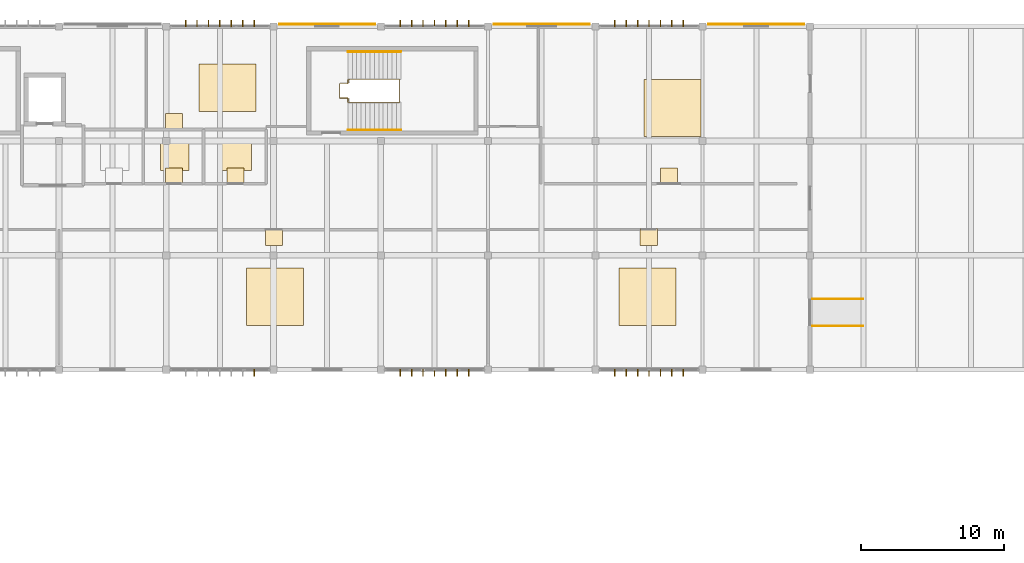
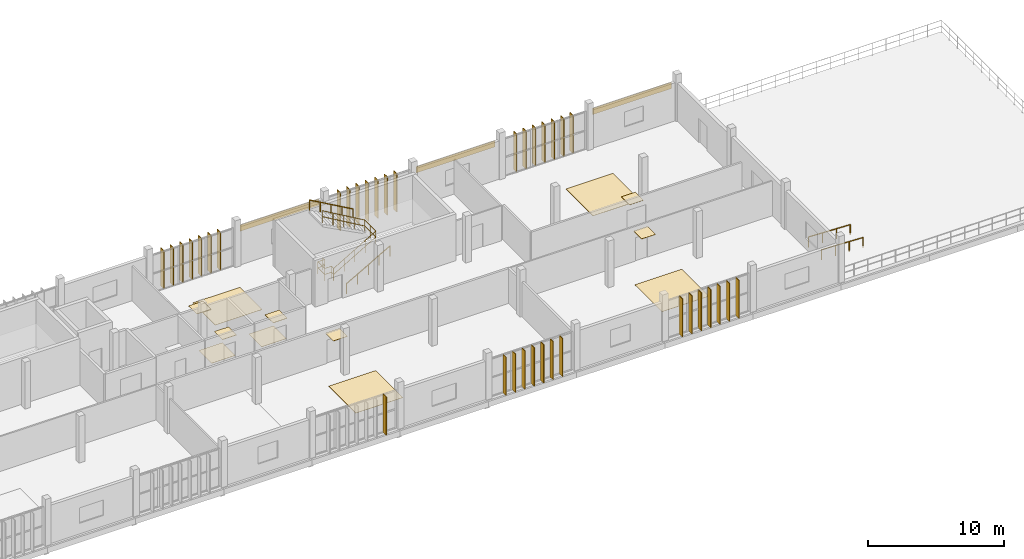
# One storey, part 26 of 27: 36 shading devices, 15 coverings, 6 railings.
"""IFC4 building model written with IfcOpenShell, lengths in metres."""

from ifc_helpers import new_model, si_unit, direction, frame, origin, origin_2d, place, context, subcontext, project, spatial, rectangle, circle, extrude, material, layer, layer_set, material_profile, profile_set, type_object, element, save


model = new_model("IFC4")

# Units and contexts
model_context = context("Model", 3, precision=1e-05, world=origin(), true_north=direction((0.0, 1.0)))
body_context = subcontext(model_context, "Body", "Model", "MODEL_VIEW")
ifc_project = project(units=[si_unit("LENGTHUNIT", "METRE"), si_unit("AREAUNIT", "SQUARE_METRE"), si_unit("VOLUMEUNIT", "CUBIC_METRE"), si_unit("PLANEANGLEUNIT", "RADIAN"), si_unit("MASSUNIT", "GRAM", prefix="KILO")], contexts=[model_context])

# Site, building, storey
site_placement = place(None, origin())
site = spatial("IfcSite", under=ifc_project, at=site_placement, CompositionType="ELEMENT")
building_placement = place(site_placement, origin())
building = spatial("IfcBuilding", under=site, at=building_placement, Name="Vourika Railside Aquatics Centre", CompositionType="ELEMENT")
storey_placement = place(building_placement, frame((0.0, 0.0, 13.5)))
storey = spatial("IfcBuildingStorey", under=building, at=storey_placement, Name="L03", CompositionType="ELEMENT", Elevation=13.5)

# Coverings
ifc_material_1 = material(Name="Perforated moisture-resistant acoustic gypsum ceiling")
ifc_layer_1 = layer(ifc_material_1, 0.02490234375, Name="COV-CEIL-25")
ifc_layer_set_1 = layer_set([ifc_layer_1], Name="Perforated moisture-resistant acoustic gypsum ceiling")
covering_type_1 = type_object("IfcCoveringType", Name="COV-CEIL-25", PredefinedType="CEILING", material=ifc_layer_set_1)
for number, where, z_axis, x_axis, name in (
    (1, (66.534912109375, 105.52001953125, 2.637451171875), (0.0, 0.0, 1.0), (1.0, 0.0, 0.0), "Thermal Spa Female WC Acoustic Ceiling Panel"),
    (2, (70.8349609375, 105.52001953125, 2.637451171875), (0.0, 0.0, 1.0), (1.0, 0.0, 0.0), "Thermal Spa Accessible WC Acoustic Ceiling Panel"),
    (3, (73.52001953125, 101.280029296875, 2.637451171875), (0.0, 0.0, 1.0), (1.0, 0.0, 0.0), "Finnish Sauna and Tropical Steam Suites Acoustic Ceiling Panel"),
    (4, (99.7275390625, 101.280029296875, 2.637451171875), (0.0, 0.0, 1.0), (1.0, 0.0, 0.0), "Contrast Recovery Lounge and Relaxation Room Acoustic Ceiling Panel"),
    (5, (66.534912109375, 109.320068359375, 2.637451171875), (0.0, 0.0, 1.0), (1.0, 0.0, 0.0), "Sports Cardiology Diagnostics Lounge Acoustic Ceiling Panel"),
    (6, (101.147705078125, 105.52001953125, 2.637451171875), (0.0, 0.0, 1.0), (1.0, 0.0, 0.0), "Altitude Conditioning Studio Acoustic Ceiling Panel"),
):
    element("IfcCovering", number, at=place(storey_placement, frame(where, z_axis=z_axis, x_axis=x_axis)), inside=storey, type_object=covering_type_1, Name=name, PredefinedType="CEILING", context=body_context, shape_type="SweptSolid", body=[
        extrude(rectangle(XDim=1.199951171875, YDim=1.199951171875, at=origin_2d()), origin(), (0.0, 0.0, 1.0), 0.02490234375),
    ])
ifc_material_2 = material(Name="Bronze-anodized aluminium rainscreen", Category="aluminium")
ifc_layer_2 = layer(ifc_material_2, 0.044921875, Name="COV-CLAD-45")
ifc_layer_set_2 = layer_set([ifc_layer_2], Name="Bronze-anodized aluminium rainscreen")
covering_type_2 = type_object("IfcCoveringType", Name="COV-CLAD-45", PredefinedType="CLADDING", material=ifc_layer_set_2)
for number, where, z_axis, x_axis, name in (
    (7, (77.25, 116.155029296875, 2.80517578125), (0.0, 0.0, 1.0), (-1.0, 0.0, 0.0), "Perforated Bronze Rainscreen Band CL-066"),
    (8, (92.25, 116.155029296875, 2.80517578125), (0.0, 0.0, 1.0), (-1.0, 0.0, 0.0), "Perforated Bronze Rainscreen Band CL-067"),
    (9, (107.25, 116.155029296875, 2.80517578125), (0.0, 0.0, 1.0), (-1.0, 0.0, 0.0), "Perforated Bronze Rainscreen Band CL-068"),
):
    element("IfcCovering", number, at=place(storey_placement, frame(where, z_axis=z_axis, x_axis=x_axis)), inside=storey, type_object=covering_type_2, Name=name, PredefinedType="CLADDING", context=body_context, shape_type="SweptSolid", body=[
        extrude(rectangle(XDim=6.699951171875, YDim=0.044921875, at=origin_2d()), origin(), (0.0, 0.0, 1.0), 0.550048828125),
    ])
ifc_material_3 = material(Name="Slip-resistant aqua ceramic sports flooring")
ifc_layer_3 = layer(ifc_material_3, 0.02001953125, Name="COV-FLOR-20")
ifc_layer_set_3 = layer_set([ifc_layer_3], Name="Slip-resistant aqua ceramic sports flooring")
covering_type_3 = type_object("IfcCoveringType", Name="COV-FLOR-20", PredefinedType="FLOORING", material=ifc_layer_set_3)
covering_1_placement = place(storey_placement, frame((66.60009765625, 106.89990234375, 0.0), z_axis=(0.0, 0.0, 1.0), x_axis=(1.0, 0.0, 0.0)))
element("IfcCovering", 10, at=covering_1_placement, inside=storey, type_object=covering_type_3, Name="Thermal Spa Female WC Sports Flooring Panel", PredefinedType="FLOORING", context=body_context, shape_type="SweptSolid", body=[
    extrude(rectangle(XDim=2.0, YDim=1.89990234375, at=origin_2d()), origin(), (0.0, 0.0, 1.0), 0.02001953125),
])
covering_2_placement = place(storey_placement, frame((70.89990234375, 106.89990234375, 0.0), z_axis=(0.0, 0.0, 1.0), x_axis=(1.0, 0.0, 0.0)))
element("IfcCovering", 11, at=covering_2_placement, inside=storey, type_object=covering_type_3, Name="Thermal Spa Accessible WC Sports Flooring Panel", PredefinedType="FLOORING", context=body_context, shape_type="SweptSolid", body=[
    extrude(rectangle(XDim=2.10009765625, YDim=1.89990234375, at=origin_2d()), origin(), (0.0, 0.0, 1.0), 0.02001953125),
])
for number, where, z_axis, x_axis, name in (
    (12, (73.60009765625, 97.10009765625, 0.0), (0.0, 0.0, 1.0), (1.0, 0.0, 0.0), "Finnish Sauna and Tropical Steam Suites Sports Flooring Panel"),
    (13, (99.64990234375, 97.10009765625, 0.0), (0.0, 0.0, 1.0), (1.0, 0.0, 0.0), "Contrast Recovery Lounge and Relaxation Room Sports Flooring Panel"),
):
    element("IfcCovering", number, at=place(storey_placement, frame(where, z_axis=z_axis, x_axis=x_axis)), inside=storey, type_object=covering_type_3, Name=name, PredefinedType="FLOORING", context=body_context, shape_type="SweptSolid", body=[
        extrude(rectangle(XDim=4.0, YDim=4.0, at=origin_2d()), origin(), (0.0, 0.0, 1.0), 0.02001953125),
    ])
covering_3_placement = place(storey_placement, frame((70.280029296875, 111.719970703125, 0.0), z_axis=(0.0, 0.0, 1.0), x_axis=(1.0, 0.0, 0.0)))
element("IfcCovering", 14, at=covering_3_placement, inside=storey, type_object=covering_type_3, Name="Sports Cardiology Diagnostics Lounge Sports Flooring Panel", PredefinedType="FLOORING", context=body_context, shape_type="SweptSolid", body=[
    extrude(rectangle(XDim=4.0, YDim=3.300048828125, at=origin_2d()), origin(), (0.0, 0.0, 1.0), 0.02001953125),
])
covering_4_placement = place(storey_placement, frame((101.39990234375, 110.300048828125, 0.0), z_axis=(0.0, 0.0, 1.0), x_axis=(1.0, 0.0, 0.0)))
element("IfcCovering", 15, at=covering_4_placement, inside=storey, type_object=covering_type_3, Name="Altitude Conditioning Studio Sports Flooring Panel", PredefinedType="FLOORING", context=body_context, shape_type="SweptSolid", body=[
    extrude(rectangle(XDim=4.0, YDim=4.0, at=origin_2d()), origin(), (0.0, 0.0, 1.0), 0.02001953125),
])

# Railings
ifc_material_4 = material(Name="Duplex stainless steel EN 1.4462", Category="steel")
railing_type_1 = type_object("IfcRailingType", Name="RL-HAND-920", PredefinedType="HANDRAIL", material=ifc_material_4)
railing_1_placement = place(storey_placement, frame((78.699951171875, 108.760009765625, 0.0)))
element("IfcRailing", 16, at=railing_1_placement, inside=storey, type_object=railing_type_1, Name="Protected Exit Stair Core ST03 Lower Wall Handrail (L03)", PredefinedType="HANDRAIL", context=body_context, shape_type="SweptSolid", body=[
    extrude(circle(Radius=0.02392578125, at=origin_2d()), frame((0.0, 0.0, 0.89599609375), z_axis=(0.869449269089, 0.0, 0.494022234804), x_axis=(0.0, 1.0, 0.0)), (0.0, 0.0, 1.0), 4.2509765625),
    extrude(circle(Radius=0.02099609375, at=origin_2d()), origin(), (0.0, 0.0, 1.0), 0.871826171875),
    extrude(circle(Radius=0.02099609375, at=origin_2d()), frame((0.924072265625, 0.0, 0.52490234375)), (0.0, 0.0, 1.0), 0.871826171875),
    extrude(circle(Radius=0.02099609375, at=origin_2d()), frame((1.84814453125, 0.0, 1.050048828125)), (0.0, 0.0, 1.0), 0.871826171875),
    extrude(circle(Radius=0.02099609375, at=origin_2d()), frame((2.77197265625, 0.0, 1.5751953125)), (0.0, 0.0, 1.0), 0.871826171875),
    extrude(circle(Radius=0.02099609375, at=origin_2d()), frame((3.696044921875, 0.0, 2.10009765625)), (0.0, 0.0, 1.0), 0.871826171875),
])
railing_2_placement = place(storey_placement, frame((82.39599609375, 114.239990234375, 2.10009765625)))
element("IfcRailing", 17, at=railing_2_placement, inside=storey, type_object=railing_type_1, Name="Protected Exit Stair Core ST03 Upper Wall Handrail (L03)", PredefinedType="HANDRAIL", context=body_context, shape_type="SweptSolid", body=[
    extrude(circle(Radius=0.02392578125, at=origin_2d()), frame((0.0, 0.0, 0.89599609375), z_axis=(-0.869473936924, 0.0, 0.493978818382), x_axis=(0.0, -1.0, 0.0)), (0.0, 0.0, 1.0), 4.2509765625),
    extrude(circle(Radius=0.02099609375, at=origin_2d()), origin(), (0.0, 0.0, 1.0), 0.871826171875),
    extrude(circle(Radius=0.02099609375, at=origin_2d()), frame((-0.924072265625, 0.0, 0.52490234375)), (0.0, 0.0, 1.0), 0.871826171875),
    extrude(circle(Radius=0.02099609375, at=origin_2d()), frame((-1.84814453125, 0.0, 1.0498046875)), (0.0, 0.0, 1.0), 0.871826171875),
    extrude(circle(Radius=0.02099609375, at=origin_2d()), frame((-2.77197265625, 0.0, 1.574951171875)), (0.0, 0.0, 1.0), 0.871826171875),
    extrude(circle(Radius=0.02099609375, at=origin_2d()), frame((-3.696044921875, 0.0, 2.099853515625)), (0.0, 0.0, 1.0), 0.871826171875),
])
for number, where, name in (
    (18, (111.169921875, 96.949951171875, -0.009521484375), "Hydrotherapy Sun Deck Threshold Ramp AR5 Handrail L"),
    (19, (111.169921875, 95.050048828125, -0.009521484375), "Hydrotherapy Sun Deck Threshold Ramp AR5 Handrail R"),
):
    element("IfcRailing", number, at=place(storey_placement, frame(where)), inside=storey, type_object=railing_type_1, Name=name, PredefinedType="HANDRAIL", context=body_context, shape_type="SweptSolid", body=[
        extrude(circle(Radius=0.02392578125, at=origin_2d()), frame((0.0, 0.0, 0.89599609375), z_axis=(0.999298355392, 0.0, -0.03745393052), x_axis=(0.0, 1.0, 0.0)), (0.0, 0.0, 1.0), 3.552490234375),
        extrude(circle(Radius=0.02099609375, at=origin_2d()), origin(), (0.0, 0.0, 1.0), 0.871826171875),
        extrude(circle(Radius=0.02099609375, at=origin_2d()), frame((1.183349609375, 0.0, -0.04443359375)), (0.0, 0.0, 1.0), 0.871826171875),
        extrude(circle(Radius=0.02099609375, at=origin_2d()), frame((2.36669921875, 0.0, -0.088623046875)), (0.0, 0.0, 1.0), 0.871826171875),
        extrude(circle(Radius=0.02099609375, at=origin_2d()), frame((3.550048828125, 0.0, -0.133056640625)), (0.0, 0.0, 1.0), 0.871826171875),
    ])
railing_type_2 = type_object("IfcRailingType", Name="RL-STAIR-1120", PredefinedType="BALUSTRADE", material=ifc_material_4)
railing_3_placement = place(storey_placement, frame((78.699951171875, 110.75, 0.0)))
element("IfcRailing", 20, at=railing_3_placement, inside=storey, type_object=railing_type_2, Name="Protected Exit Stair Core ST03 Well Edge Guard (L03)", PredefinedType="BALUSTRADE", context=body_context, shape_type="SweptSolid", body=[
    extrude(circle(Radius=0.02392578125, at=origin_2d()), frame((0.0, 0.0, 1.09619140625), z_axis=(0.0, 1.0, 0.0), x_axis=(-1.0, 0.0, 0.0)), (0.0, 0.0, 1.0), 0.25),
    extrude(circle(Radius=0.02392578125, at=origin_2d()), frame((0.0, 0.0, 0.56005859375), z_axis=(0.0, 1.0, 0.0), x_axis=(-1.0, 0.0, 0.0)), (0.0, 0.0, 1.0), 0.25),
    extrude(circle(Radius=0.02392578125, at=origin_2d()), frame((0.0, 0.25, 1.09619140625), z_axis=(-1.0, 0.0, 0.0), x_axis=(0.0, -1.0, 0.0)), (0.0, 0.0, 1.0), 0.570068359375),
    extrude(circle(Radius=0.02392578125, at=origin_2d()), frame((0.0, 0.25, 0.56005859375), z_axis=(-1.0, 0.0, 0.0), x_axis=(0.0, -1.0, 0.0)), (0.0, 0.0, 1.0), 0.570068359375),
    extrude(circle(Radius=0.02392578125, at=origin_2d()), frame((-0.570068359375, 0.25, 1.09619140625), z_axis=(0.0, 1.0, 0.0), x_axis=(-1.0, 0.0, 0.0)), (0.0, 0.0, 1.0), 1.0),
    extrude(circle(Radius=0.02392578125, at=origin_2d()), frame((-0.570068359375, 0.25, 0.56005859375), z_axis=(0.0, 1.0, 0.0), x_axis=(-1.0, 0.0, 0.0)), (0.0, 0.0, 1.0), 1.0),
    extrude(circle(Radius=0.02392578125, at=origin_2d()), frame((-0.570068359375, 1.25, 1.09619140625), z_axis=(1.0, 0.0, 0.0), x_axis=(0.0, 1.0, 0.0)), (0.0, 0.0, 1.0), 0.570068359375),
    extrude(circle(Radius=0.02392578125, at=origin_2d()), frame((-0.570068359375, 1.25, 0.56005859375), z_axis=(1.0, 0.0, 0.0), x_axis=(0.0, 1.0, 0.0)), (0.0, 0.0, 1.0), 0.570068359375),
    extrude(circle(Radius=0.02392578125, at=origin_2d()), frame((0.0, 1.25, 1.09619140625), z_axis=(0.0, 1.0, 0.0), x_axis=(-1.0, 0.0, 0.0)), (0.0, 0.0, 1.0), 0.25),
    extrude(circle(Radius=0.02392578125, at=origin_2d()), frame((0.0, 1.25, 0.56005859375), z_axis=(0.0, 1.0, 0.0), x_axis=(-1.0, 0.0, 0.0)), (0.0, 0.0, 1.0), 0.25),
    extrude(circle(Radius=0.02099609375, at=origin_2d()), origin(), (0.0, 0.0, 1.0), 1.072021484375),
    extrude(circle(Radius=0.02099609375, at=origin_2d()), frame((0.0, 0.25, 0.0)), (0.0, 0.0, 1.0), 1.072021484375),
    extrude(circle(Radius=0.02099609375, at=origin_2d()), frame((-0.570068359375, 0.25, 0.0)), (0.0, 0.0, 1.0), 1.072021484375),
    extrude(circle(Radius=0.02099609375, at=origin_2d()), frame((-0.570068359375, 1.25, 0.0)), (0.0, 0.0, 1.0), 1.072021484375),
    extrude(circle(Radius=0.02099609375, at=origin_2d()), frame((0.0, 1.25, 0.0)), (0.0, 0.0, 1.0), 1.072021484375),
    extrude(circle(Radius=0.02099609375, at=origin_2d()), frame((0.0, 1.5, 0.0)), (0.0, 0.0, 1.0), 1.072021484375),
])
railing_4_placement = place(storey_placement, frame((78.699951171875, 110.679931640625, 0.0)))
element("IfcRailing", 21, at=railing_4_placement, inside=storey, type_object=railing_type_2, Name="Protected Exit Stair Core ST03 Center Well Guard (L03)", PredefinedType="BALUSTRADE", context=body_context, shape_type="SweptSolid", body=[
    extrude(circle(Radius=0.02392578125, at=origin_2d()), frame((0.0, 0.0, 1.09619140625), z_axis=(0.863521496458, 0.0, 0.504312031539), x_axis=(0.0, 1.0, 0.0)), (0.0, 0.0, 1.0), 4.164306640625),
    extrude(circle(Radius=0.02392578125, at=origin_2d()), frame((0.0, 0.0, 0.56005859375), z_axis=(0.863521496458, 0.0, 0.504312031539), x_axis=(0.0, 1.0, 0.0)), (0.0, 0.0, 1.0), 4.164306640625),
    extrude(circle(Radius=0.02392578125, at=origin_2d()), frame((3.595947265625, 0.0, 3.1962890625), z_axis=(0.0, 1.0, 0.0), x_axis=(-1.0, 0.0, 0.0)), (0.0, 0.0, 1.0), 1.64013671875),
    extrude(circle(Radius=0.02392578125, at=origin_2d()), frame((3.595947265625, 0.0, 2.66015625), z_axis=(0.0, 1.0, 0.0), x_axis=(-1.0, 0.0, 0.0)), (0.0, 0.0, 1.0), 1.64013671875),
    extrude(circle(Radius=0.02392578125, at=origin_2d()), frame((3.595947265625, 1.64013671875, 3.1962890625), z_axis=(-0.863547027374, 0.0, 0.504268313018), x_axis=(0.0, -1.0, 0.0)), (0.0, 0.0, 1.0), 4.1640625),
    extrude(circle(Radius=0.02392578125, at=origin_2d()), frame((3.595947265625, 1.64013671875, 2.66015625), z_axis=(-0.863547027374, 0.0, 0.504268313018), x_axis=(0.0, -1.0, 0.0)), (0.0, 0.0, 1.0), 4.1640625),
    extrude(circle(Radius=0.02099609375, at=origin_2d()), origin(), (0.0, 0.0, 1.0), 1.072021484375),
    extrude(circle(Radius=0.02099609375, at=origin_2d()), frame((0.89892578125, 0.0, 0.52490234375)), (0.0, 0.0, 1.0), 1.072021484375),
    extrude(circle(Radius=0.02099609375, at=origin_2d()), frame((1.7978515625, 0.0, 1.050048828125)), (0.0, 0.0, 1.0), 1.072021484375),
    extrude(circle(Radius=0.02099609375, at=origin_2d()), frame((2.697021484375, 0.0, 1.5751953125)), (0.0, 0.0, 1.0), 1.072021484375),
    extrude(circle(Radius=0.02099609375, at=origin_2d()), frame((3.595947265625, 0.0, 2.10009765625)), (0.0, 0.0, 1.0), 1.072021484375),
    extrude(circle(Radius=0.02099609375, at=origin_2d()), frame((3.595947265625, 0.820068359375, 2.10009765625)), (0.0, 0.0, 1.0), 1.072021484375),
    extrude(circle(Radius=0.02099609375, at=origin_2d()), frame((3.595947265625, 1.64013671875, 2.10009765625)), (0.0, 0.0, 1.0), 1.072021484375),
    extrude(circle(Radius=0.02099609375, at=origin_2d()), frame((2.697021484375, 1.64013671875, 2.625)), (0.0, 0.0, 1.0), 1.072021484375),
    extrude(circle(Radius=0.02099609375, at=origin_2d()), frame((1.7978515625, 1.64013671875, 3.14990234375)), (0.0, 0.0, 1.0), 1.072021484375),
    extrude(circle(Radius=0.02099609375, at=origin_2d()), frame((0.89892578125, 1.64013671875, 3.675048828125)), (0.0, 0.0, 1.0), 1.072021484375),
    extrude(circle(Radius=0.02099609375, at=origin_2d()), frame((0.0, 1.64013671875, 4.199951171875)), (0.0, 0.0, 1.0), 1.072021484375),
])

# Shading devices
ifc_material_5 = material(Name="Bronze-anodized extruded aluminium", Category="aluminium")
ifc_material_profile = material_profile(ifc_material_5, rectangle(XDim=0.06005859375, YDim=0.47998046875, at=origin_2d()), Name="ALU-FIN 60x480")
ifc_profile_set = profile_set([ifc_material_profile], Name="Bronze-anodized extruded aluminium")
shading_device_type = type_object("IfcShadingDeviceType", Name="SHD-FIN-F48A", PredefinedType="USERDEFINED", material=ifc_profile_set)
for number, where, z_axis, x_axis, name in (
    (22, (67.35009765625, 116.215087890625, 0.0), (0.0, 0.0, 1.0), (1.0, 0.0, 0.0), "Vertical Solar Fin VSF-1027"),
    (23, (68.14990234375, 116.215087890625, 0.0), (0.0, 0.0, 1.0), (1.0, 0.0, 0.0), "Vertical Solar Fin VSF-1028"),
    (24, (68.949951171875, 116.215087890625, 0.0), (0.0, 0.0, 1.0), (1.0, 0.0, 0.0), "Vertical Solar Fin VSF-1029"),
    (25, (69.75, 116.215087890625, 0.0), (0.0, 0.0, 1.0), (1.0, 0.0, 0.0), "Vertical Solar Fin VSF-1030"),
    (26, (70.550048828125, 116.215087890625, 0.0), (0.0, 0.0, 1.0), (1.0, 0.0, 0.0), "Vertical Solar Fin VSF-1031"),
    (27, (71.35009765625, 116.215087890625, 0.0), (0.0, 0.0, 1.0), (1.0, 0.0, 0.0), "Vertical Solar Fin VSF-1032"),
    (28, (72.14990234375, 116.215087890625, 0.0), (0.0, 0.0, 1.0), (1.0, 0.0, 0.0), "Vertical Solar Fin VSF-1033"),
):
    element("IfcShadingDevice", number, at=place(storey_placement, frame(where, z_axis=z_axis, x_axis=x_axis)), inside=storey, type_object=shading_device_type, Name=name, ObjectType="FIN", PredefinedType="USERDEFINED", context=body_context, shape_type="SweptSolid", body=[
        extrude(rectangle(XDim=0.06005859375, YDim=0.47998046875, at=origin_2d()), origin(), (0.0, 0.0, 1.0), 3.43994140625),
    ])
for number, where, z_axis, x_axis, name in (
    (29, (82.35009765625, 116.215087890625, 0.0), (0.0, 0.0, 1.0), (1.0, 0.0, 0.0), "Vertical Solar Fin VSF-1034"),
    (30, (83.14990234375, 116.215087890625, 0.0), (0.0, 0.0, 1.0), (1.0, 0.0, 0.0), "Vertical Solar Fin VSF-1035"),
    (31, (83.949951171875, 116.215087890625, 0.0), (0.0, 0.0, 1.0), (1.0, 0.0, 0.0), "Vertical Solar Fin VSF-1036"),
    (32, (84.75, 116.215087890625, 0.0), (0.0, 0.0, 1.0), (1.0, 0.0, 0.0), "Vertical Solar Fin VSF-1037"),
    (33, (85.550048828125, 116.215087890625, 0.0), (0.0, 0.0, 1.0), (1.0, 0.0, 0.0), "Vertical Solar Fin VSF-1038"),
    (34, (86.35009765625, 116.215087890625, 0.0), (0.0, 0.0, 1.0), (1.0, 0.0, 0.0), "Vertical Solar Fin VSF-1039"),
    (35, (87.14990234375, 116.215087890625, 0.0), (0.0, 0.0, 1.0), (1.0, 0.0, 0.0), "Vertical Solar Fin VSF-1040"),
    (36, (97.35009765625, 116.215087890625, 0.0), (0.0, 0.0, 1.0), (1.0, 0.0, 0.0), "Vertical Solar Fin VSF-1041"),
    (37, (98.14990234375, 116.215087890625, 0.0), (0.0, 0.0, 1.0), (1.0, 0.0, 0.0), "Vertical Solar Fin VSF-1042"),
    (38, (98.949951171875, 116.215087890625, 0.0), (0.0, 0.0, 1.0), (1.0, 0.0, 0.0), "Vertical Solar Fin VSF-1043"),
    (39, (99.75, 116.215087890625, 0.0), (0.0, 0.0, 1.0), (1.0, 0.0, 0.0), "Vertical Solar Fin VSF-1044"),
    (40, (100.550048828125, 116.215087890625, 0.0), (0.0, 0.0, 1.0), (1.0, 0.0, 0.0), "Vertical Solar Fin VSF-1045"),
    (41, (101.35009765625, 116.215087890625, 0.0), (0.0, 0.0, 1.0), (1.0, 0.0, 0.0), "Vertical Solar Fin VSF-1046"),
    (42, (102.14990234375, 116.215087890625, 0.0), (0.0, 0.0, 1.0), (1.0, 0.0, 0.0), "Vertical Solar Fin VSF-1047"),
):
    element("IfcShadingDevice", number, at=place(storey_placement, frame(where, z_axis=z_axis, x_axis=x_axis)), inside=storey, type_object=shading_device_type, Name=name, ObjectType="FIN", PredefinedType="USERDEFINED", context=body_context, shape_type="SweptSolid", body=[
        extrude(rectangle(XDim=0.06005859375, YDim=0.47998046875, at=origin_2d()), origin(), (0.0, 0.0, 1.0), 3.429931640625),
    ])
shading_device_placement = place(storey_placement, frame((72.14990234375, 91.784912109375, 0.0), z_axis=(0.0, 0.0, 1.0), x_axis=(-1.0, 0.0, 0.0)))
element("IfcShadingDevice", 43, at=shading_device_placement, inside=storey, type_object=shading_device_type, Name="Vertical Solar Fin VSF-1068", ObjectType="FIN", PredefinedType="USERDEFINED", context=body_context, shape_type="SweptSolid", body=[
    extrude(rectangle(XDim=0.06005859375, YDim=0.47998046875, at=origin_2d()), origin(), (0.0, 0.0, 1.0), 3.43994140625),
])
for number, where, z_axis, x_axis, name in (
    (44, (82.35009765625, 91.784912109375, 0.0), (0.0, 0.0, 1.0), (-1.0, 0.0, 0.0), "Vertical Solar Fin VSF-1069"),
    (45, (83.14990234375, 91.784912109375, 0.0), (0.0, 0.0, 1.0), (-1.0, 0.0, 0.0), "Vertical Solar Fin VSF-1070"),
    (46, (83.949951171875, 91.784912109375, 0.0), (0.0, 0.0, 1.0), (-1.0, 0.0, 0.0), "Vertical Solar Fin VSF-1071"),
    (47, (84.75, 91.784912109375, 0.0), (0.0, 0.0, 1.0), (-1.0, 0.0, 0.0), "Vertical Solar Fin VSF-1072"),
    (48, (85.550048828125, 91.784912109375, 0.0), (0.0, 0.0, 1.0), (-1.0, 0.0, 0.0), "Vertical Solar Fin VSF-1073"),
    (49, (86.35009765625, 91.784912109375, 0.0), (0.0, 0.0, 1.0), (-1.0, 0.0, 0.0), "Vertical Solar Fin VSF-1074"),
    (50, (87.14990234375, 91.784912109375, 0.0), (0.0, 0.0, 1.0), (-1.0, 0.0, 0.0), "Vertical Solar Fin VSF-1075"),
    (51, (97.35009765625, 91.784912109375, 0.0), (0.0, 0.0, 1.0), (-1.0, 0.0, 0.0), "Vertical Solar Fin VSF-1076"),
    (52, (98.14990234375, 91.784912109375, 0.0), (0.0, 0.0, 1.0), (-1.0, 0.0, 0.0), "Vertical Solar Fin VSF-1077"),
    (53, (98.949951171875, 91.784912109375, 0.0), (0.0, 0.0, 1.0), (-1.0, 0.0, 0.0), "Vertical Solar Fin VSF-1078"),
    (54, (99.75, 91.784912109375, 0.0), (0.0, 0.0, 1.0), (-1.0, 0.0, 0.0), "Vertical Solar Fin VSF-1079"),
    (55, (100.550048828125, 91.784912109375, 0.0), (0.0, 0.0, 1.0), (-1.0, 0.0, 0.0), "Vertical Solar Fin VSF-1080"),
    (56, (101.35009765625, 91.784912109375, 0.0), (0.0, 0.0, 1.0), (-1.0, 0.0, 0.0), "Vertical Solar Fin VSF-1081"),
    (57, (102.14990234375, 91.784912109375, 0.0), (0.0, 0.0, 1.0), (-1.0, 0.0, 0.0), "Vertical Solar Fin VSF-1082"),
):
    element("IfcShadingDevice", number, at=place(storey_placement, frame(where, z_axis=z_axis, x_axis=x_axis)), inside=storey, type_object=shading_device_type, Name=name, ObjectType="FIN", PredefinedType="USERDEFINED", context=body_context, shape_type="SweptSolid", body=[
        extrude(rectangle(XDim=0.06005859375, YDim=0.47998046875, at=origin_2d()), origin(), (0.0, 0.0, 1.0), 3.429931640625),
    ])

save(model, "model.ifc")
